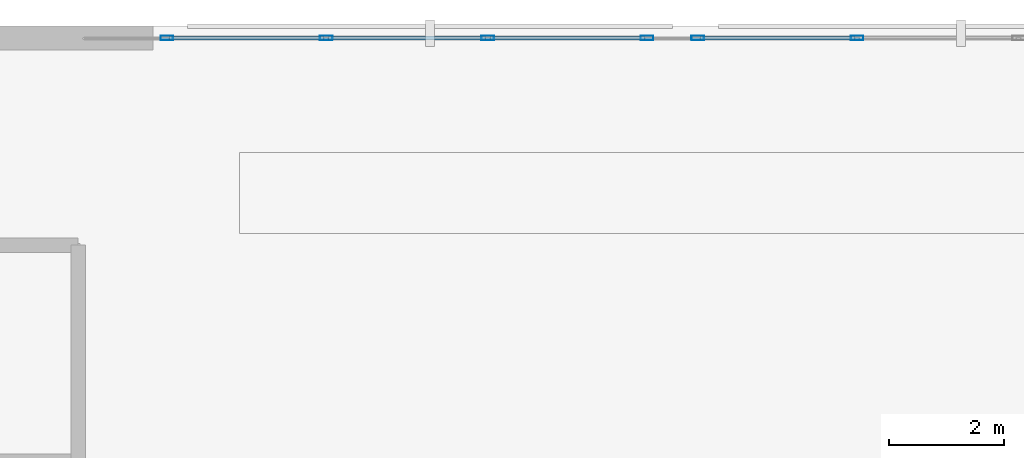
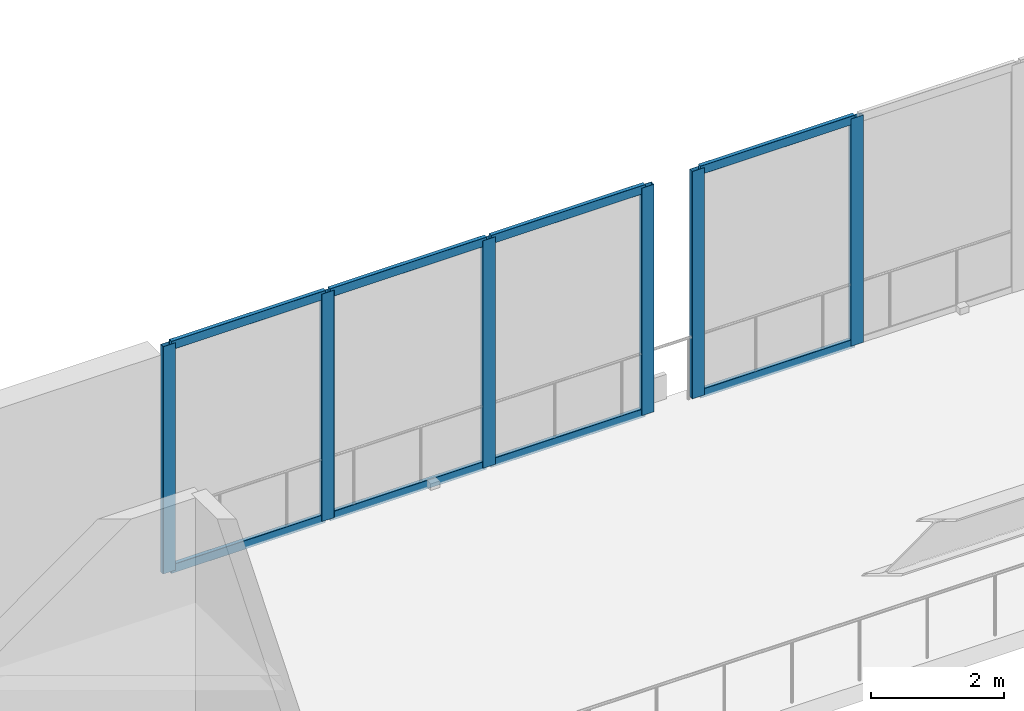
# One storey, part 7 of 32: 14 members, 2 elements without a shape of their own.
"""IFC4 building model written with IfcOpenShell, lengths in metres."""

from ifc_helpers import new_model, si_unit, direction, frame, origin, origin_2d, place, context, subcontext, project, spatial, hollow_rectangle, extrude, material, material_profile, profile_set, type_object, element, aggregate, save


model = new_model("IFC4")

# Units and contexts
model_context = context("Model", 3, precision=1e-05, world=origin(), true_north=direction((0.0, 1.0)))
body_context = subcontext(model_context, "Body", "Model", "MODEL_VIEW")
ifc_project = project(units=[si_unit("LENGTHUNIT", "METRE"), si_unit("AREAUNIT", "SQUARE_METRE"), si_unit("VOLUMEUNIT", "CUBIC_METRE"), si_unit("PLANEANGLEUNIT", "RADIAN"), si_unit("MASSUNIT", "GRAM", prefix="KILO")], contexts=[model_context])

# Site, building, storey
site_placement = place(None, origin())
site = spatial("IfcSite", under=ifc_project, at=site_placement, CompositionType="ELEMENT")
building_placement = place(site_placement, origin())
building = spatial("IfcBuilding", under=site, at=building_placement, Name="Narakoshi Arena Tower", CompositionType="ELEMENT")
storey_placement = place(building_placement, frame((0.0, 0.0, 4.5)))
storey = spatial("IfcBuildingStorey", under=building, at=storey_placement, Name="L01", CompositionType="ELEMENT", Elevation=4.5)

# Curtain wall, members
ifc_material = material(Name="Anodised bronze aluminium 6063-T6", Category="aluminium")
curtain_wall_type = type_object("IfcCurtainWallType", Name="CW-POD-CONC", PredefinedType="NOTDEFINED", material=ifc_material)
curtain_wall_1_placement = place(storey_placement, origin())
curtain_wall_1 = element("IfcCurtainWall", 1, at=curtain_wall_1_placement, inside=storey, type_object=curtain_wall_type, Name="L01 Street Concourse Curtain Wall CN1", PredefinedType="NOTDEFINED")
ifc_material_profile_1 = material_profile(ifc_material, hollow_rectangle(XDim=0.080078125, YDim=0.219970703125, WallThickness=0.0048828125, OuterFilletRadius=0.006103515625, at=origin_2d()), Name="MUL220x80x5")
ifc_profile_set_1 = profile_set([ifc_material_profile_1], Name="Anodised bronze aluminium 6063-T6")
member_type_1 = type_object("IfcMemberType", Name="MEM-MUL-220", PredefinedType="MULLION", material=ifc_profile_set_1)
member_1_placement = place(storey_placement, frame((64.199951171875, 95.7900390625, 0.0), z_axis=(0.0, 0.0, 1.0), x_axis=(0.0, -1.0, 0.0)))
member_1 = element("IfcMember", 2, at=member_1_placement, type_object=member_type_1, Name="CW-04 mullion 3", PredefinedType="MULLION", context=body_context, shape_type="SweptSolid", body=[
    extrude(hollow_rectangle(XDim=0.080078125, YDim=0.219970703125, WallThickness=0.0048828125, OuterFilletRadius=0.006103515625, at=origin_2d()), origin(), (0.0, 0.0, 1.0), 4.179931640625),
])
member_2_placement = place(storey_placement, frame((61.43994140625, 95.7900390625, 0.0), z_axis=(0.0, 0.0, 1.0), x_axis=(0.0, -1.0, 0.0)))
member_2 = element("IfcMember", 3, at=member_2_placement, type_object=member_type_1, Name="CW-04 mullion 4", PredefinedType="MULLION", context=body_context, shape_type="SweptSolid", body=[
    extrude(hollow_rectangle(XDim=0.080078125, YDim=0.219970703125, WallThickness=0.0048828125, OuterFilletRadius=0.006103515625, at=origin_2d()), origin(), (0.0, 0.0, 1.0), 4.179931640625),
])

curtain_wall_2_placement = place(storey_placement, origin())
curtain_wall_2 = element("IfcCurtainWall", 4, at=curtain_wall_2_placement, inside=storey, type_object=curtain_wall_type, Name="L01 Street Concourse Curtain Wall CN2", PredefinedType="NOTDEFINED")
member_3_placement = place(storey_placement, frame((60.56005859375, 95.7900390625, 0.0), z_axis=(0.0, 0.0, 1.0), x_axis=(0.0, -1.0, 0.0)))
member_3 = element("IfcMember", 5, at=member_3_placement, type_object=member_type_1, Name="CW-04 mullion 1", PredefinedType="MULLION", context=body_context, shape_type="SweptSolid", body=[
    extrude(hollow_rectangle(XDim=0.080078125, YDim=0.219970703125, WallThickness=0.0048828125, OuterFilletRadius=0.006103515625, at=origin_2d()), origin(), (0.0, 0.0, 1.0), 4.179931640625),
])
member_4_placement = place(storey_placement, frame((57.800048828125, 95.7900390625, 0.0), z_axis=(0.0, 0.0, 1.0), x_axis=(0.0, -1.0, 0.0)))
member_4 = element("IfcMember", 6, at=member_4_placement, type_object=member_type_1, Name="CW-04 mullion 2", PredefinedType="MULLION", context=body_context, shape_type="SweptSolid", body=[
    extrude(hollow_rectangle(XDim=0.080078125, YDim=0.219970703125, WallThickness=0.0048828125, OuterFilletRadius=0.006103515625, at=origin_2d()), origin(), (0.0, 0.0, 1.0), 4.179931640625),
])
member_5_placement = place(storey_placement, frame((55.0, 95.7900390625, 0.0), z_axis=(0.0, 0.0, 1.0), x_axis=(0.0, -1.0, 0.0)))
member_5 = element("IfcMember", 7, at=member_5_placement, type_object=member_type_1, Name="CW-04 mullion 3", PredefinedType="MULLION", context=body_context, shape_type="SweptSolid", body=[
    extrude(hollow_rectangle(XDim=0.080078125, YDim=0.219970703125, WallThickness=0.0048828125, OuterFilletRadius=0.006103515625, at=origin_2d()), origin(), (0.0, 0.0, 1.0), 4.179931640625),
])
member_6_placement = place(storey_placement, frame((52.239990234375, 95.7900390625, 0.0), z_axis=(0.0, 0.0, 1.0), x_axis=(0.0, -1.0, 0.0)))
member_6 = element("IfcMember", 8, at=member_6_placement, type_object=member_type_1, Name="CW-04 mullion 4", PredefinedType="MULLION", context=body_context, shape_type="SweptSolid", body=[
    extrude(hollow_rectangle(XDim=0.080078125, YDim=0.219970703125, WallThickness=0.0048828125, OuterFilletRadius=0.006103515625, at=origin_2d()), origin(), (0.0, 0.0, 1.0), 4.179931640625),
])

# Member
ifc_material_profile_2 = material_profile(ifc_material, hollow_rectangle(XDim=0.070068359375, YDim=0.159912109375, WallThickness=0.00390625, OuterFilletRadius=0.0048828125, at=origin_2d()), Name="TRN160x70x4")
ifc_profile_set_2 = profile_set([ifc_material_profile_2], Name="Anodised bronze aluminium 6063-T6")
member_type_2 = type_object("IfcMemberType", Name="MEM-TRN-160", PredefinedType="USERDEFINED", material=ifc_profile_set_2)
member_7_placement = place(storey_placement, frame((64.159912109375, 95.7900390625, 0.034912109375), z_axis=(-1.0, 0.0, 0.0), x_axis=(0.0, -1.0, 0.0)))
member_7 = element("IfcMember", 9, at=member_7_placement, type_object=member_type_2, Name="CW-04 transom 3.1", ObjectType="TRANSOM", PredefinedType="USERDEFINED", context=body_context, shape_type="SweptSolid", body=[
    extrude(hollow_rectangle(XDim=0.070068359375, YDim=0.159912109375, WallThickness=0.00390625, OuterFilletRadius=0.0048828125, at=origin_2d()), origin(), (0.0, 0.0, 1.0), 2.679931640625),
])

member_8_placement = place(storey_placement, frame((64.159912109375, 95.7900390625, 4.14501953125), z_axis=(-1.0, 0.0, 0.0), x_axis=(0.0, -1.0, 0.0)))
member_8 = element("IfcMember", 10, at=member_8_placement, type_object=member_type_2, Name="CW-04 transom 3.2", ObjectType="TRANSOM", PredefinedType="USERDEFINED", context=body_context, shape_type="SweptSolid", body=[
    extrude(hollow_rectangle(XDim=0.070068359375, YDim=0.159912109375, WallThickness=0.00390625, OuterFilletRadius=0.0048828125, at=origin_2d()), origin(), (0.0, 0.0, 1.0), 2.679931640625),
])

aggregate(curtain_wall_1, [member_1, member_2, member_7, member_8])

member_9_placement = place(storey_placement, frame((60.52001953125, 95.7900390625, 0.034912109375), z_axis=(-1.0, 0.0, 0.0), x_axis=(0.0, -1.0, 0.0)))
member_9 = element("IfcMember", 11, at=member_9_placement, type_object=member_type_2, Name="CW-04 transom 1.1", ObjectType="TRANSOM", PredefinedType="USERDEFINED", context=body_context, shape_type="SweptSolid", body=[
    extrude(hollow_rectangle(XDim=0.070068359375, YDim=0.159912109375, WallThickness=0.00390625, OuterFilletRadius=0.0048828125, at=origin_2d()), origin(), (0.0, 0.0, 1.0), 2.679931640625),
])

member_10_placement = place(storey_placement, frame((60.52001953125, 95.7900390625, 4.14501953125), z_axis=(-1.0, 0.0, 0.0), x_axis=(0.0, -1.0, 0.0)))
member_10 = element("IfcMember", 12, at=member_10_placement, type_object=member_type_2, Name="CW-04 transom 1.2", ObjectType="TRANSOM", PredefinedType="USERDEFINED", context=body_context, shape_type="SweptSolid", body=[
    extrude(hollow_rectangle(XDim=0.070068359375, YDim=0.159912109375, WallThickness=0.00390625, OuterFilletRadius=0.0048828125, at=origin_2d()), origin(), (0.0, 0.0, 1.0), 2.679931640625),
])

member_11_placement = place(storey_placement, frame((57.760009765625, 95.7900390625, 0.034912109375), z_axis=(-1.0, 0.0, 0.0), x_axis=(0.0, -1.0, 0.0)))
member_11 = element("IfcMember", 13, at=member_11_placement, type_object=member_type_2, Name="CW-04 transom 2.1", ObjectType="TRANSOM", PredefinedType="USERDEFINED", context=body_context, shape_type="SweptSolid", body=[
    extrude(hollow_rectangle(XDim=0.070068359375, YDim=0.159912109375, WallThickness=0.00390625, OuterFilletRadius=0.0048828125, at=origin_2d()), origin(), (0.0, 0.0, 1.0), 2.719970703125),
])

member_12_placement = place(storey_placement, frame((57.760009765625, 95.7900390625, 4.14501953125), z_axis=(-1.0, 0.0, 0.0), x_axis=(0.0, -1.0, 0.0)))
member_12 = element("IfcMember", 14, at=member_12_placement, type_object=member_type_2, Name="CW-04 transom 2.2", ObjectType="TRANSOM", PredefinedType="USERDEFINED", context=body_context, shape_type="SweptSolid", body=[
    extrude(hollow_rectangle(XDim=0.070068359375, YDim=0.159912109375, WallThickness=0.00390625, OuterFilletRadius=0.0048828125, at=origin_2d()), origin(), (0.0, 0.0, 1.0), 2.719970703125),
])

member_13_placement = place(storey_placement, frame((54.9599609375, 95.7900390625, 0.034912109375), z_axis=(-1.0, 0.0, 0.0), x_axis=(0.0, -1.0, 0.0)))
member_13 = element("IfcMember", 15, at=member_13_placement, type_object=member_type_2, Name="CW-04 transom 3.1", ObjectType="TRANSOM", PredefinedType="USERDEFINED", context=body_context, shape_type="SweptSolid", body=[
    extrude(hollow_rectangle(XDim=0.070068359375, YDim=0.159912109375, WallThickness=0.00390625, OuterFilletRadius=0.0048828125, at=origin_2d()), origin(), (0.0, 0.0, 1.0), 2.679931640625),
])

member_14_placement = place(storey_placement, frame((54.9599609375, 95.7900390625, 4.14501953125), z_axis=(-1.0, 0.0, 0.0), x_axis=(0.0, -1.0, 0.0)))
member_14 = element("IfcMember", 16, at=member_14_placement, type_object=member_type_2, Name="CW-04 transom 3.2", ObjectType="TRANSOM", PredefinedType="USERDEFINED", context=body_context, shape_type="SweptSolid", body=[
    extrude(hollow_rectangle(XDim=0.070068359375, YDim=0.159912109375, WallThickness=0.00390625, OuterFilletRadius=0.0048828125, at=origin_2d()), origin(), (0.0, 0.0, 1.0), 2.679931640625),
])

aggregate(curtain_wall_2, [member_3, member_4, member_5, member_6, member_9, member_10, member_11, member_12, member_13, member_14])

save(model, "model.ifc")
